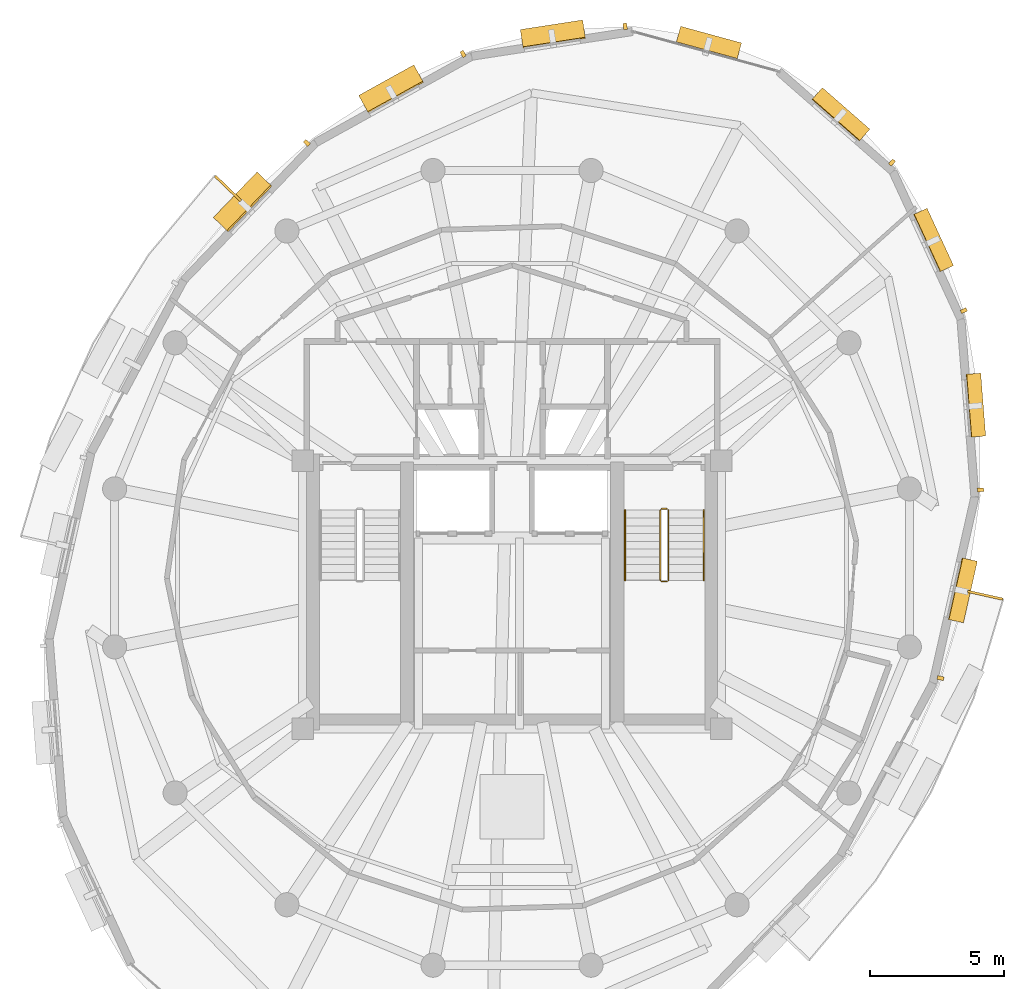
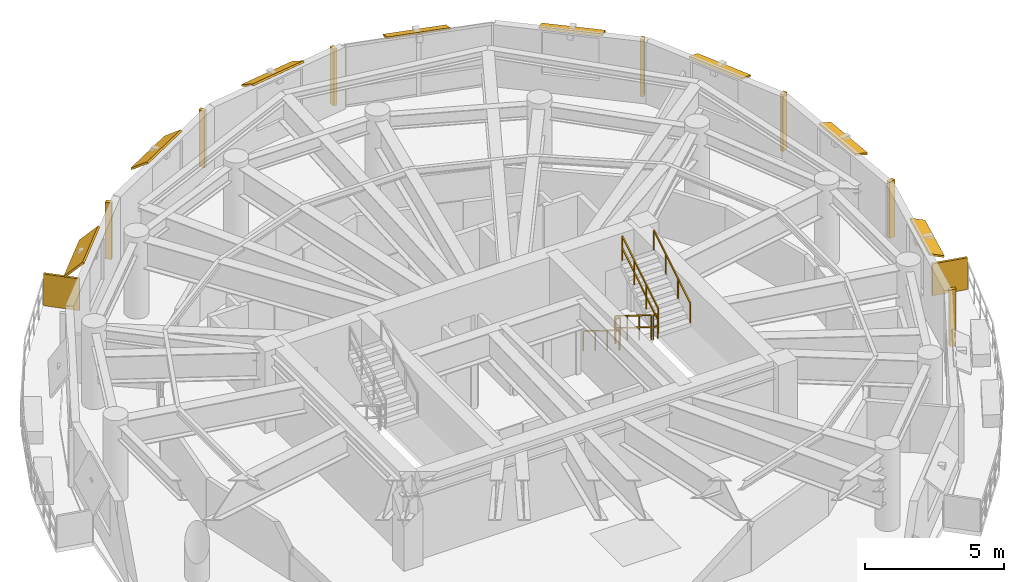
# One storey, part 11 of 11: 17 shading devices, 6 railings.
"""IFC4 building model written with IfcOpenShell, lengths in metres."""

from ifc_helpers import new_model, si_unit, direction, frame, origin, origin_2d, place, context, subcontext, project, spatial, rectangle, extrude, material, layer, layer_set, type_object, element, save


model = new_model("IFC4")

# Units and contexts
model_context = context("Model", 3, precision=1e-05, world=origin(), true_north=direction((0.0, 1.0)))
body_context = subcontext(model_context, "Body", "Model", "MODEL_VIEW")
ifc_project = project(units=[si_unit("LENGTHUNIT", "METRE"), si_unit("AREAUNIT", "SQUARE_METRE"), si_unit("VOLUMEUNIT", "CUBIC_METRE"), si_unit("PLANEANGLEUNIT", "RADIAN"), si_unit("MASSUNIT", "GRAM", prefix="KILO"), si_unit("THERMODYNAMICTEMPERATUREUNIT", "KELVIN"), si_unit("POWERUNIT", "WATT")], contexts=[model_context])

# Site, building, storey
site_placement = place(None, origin())
site = spatial("IfcSite", under=ifc_project, at=site_placement, CompositionType="ELEMENT")
building_placement = place(site_placement, origin())
building = spatial("IfcBuilding", under=site, at=building_placement, Name="Ocrelia Relay Tower", CompositionType="ELEMENT")
storey_placement = place(building_placement, frame((0.0, 0.0, 284.39990234375)))
storey = spatial("IfcBuildingStorey", under=building, at=storey_placement, Name="L71", CompositionType="ELEMENT", Elevation=284.39990234375)

# Railings
ifc_material_1 = material(Name="Steel S355 balustrade", Category="steel")
railing_type_1 = type_object("IfcRailingType", Name="RL-STAIR-GUARD", PredefinedType="GUARDRAIL", material=ifc_material_1)
railing_1_placement = place(storey_placement, frame((39.530029296875, 28.14990234375, 0.18017578125)))
element("IfcRailing", 1, at=railing_1_placement, inside=storey, type_object=railing_type_1, Name="L71 ST2 stair guard 1", PredefinedType="GUARDRAIL", context=body_context, shape_type="SweptSolid", body=[
    extrude(rectangle(XDim=0.048095703125, YDim=0.048095703125, at=origin_2d()), frame((0.0, 0.0, 1.076171875), z_axis=(0.0, -0.849646306263, 0.527352969322), x_axis=(1.0, 0.0, 0.0)), (0.0, 0.0, 1.0), 3.07177734375),
    extrude(rectangle(XDim=0.048095703125, YDim=0.048095703125, at=origin_2d()), frame((0.0, 0.0, 0.550048828125), z_axis=(0.0, -0.849646306263, 0.527352969322), x_axis=(1.0, 0.0, 0.0)), (0.0, 0.0, 1.0), 3.07177734375),
    extrude(rectangle(XDim=0.0419921875, YDim=0.0419921875, at=origin_2d()), origin(), (0.0, 0.0, 1.0), 1.052001953125),
    extrude(rectangle(XDim=0.0419921875, YDim=0.0419921875, at=origin_2d()), frame((0.0, -0.869873046875, 0.5400390625)), (0.0, 0.0, 1.0), 1.052001953125),
    extrude(rectangle(XDim=0.0419921875, YDim=0.0419921875, at=origin_2d()), frame((0.0, -1.739990234375, 1.079833984375)), (0.0, 0.0, 1.0), 1.052001953125),
    extrude(rectangle(XDim=0.0419921875, YDim=0.0419921875, at=origin_2d()), frame((0.0, -2.60986328125, 1.619873046875)), (0.0, 0.0, 1.0), 1.052001953125),
])
railing_2_placement = place(storey_placement, frame((39.580078125, 25.489990234375, 1.800048828125)))
element("IfcRailing", 2, at=railing_2_placement, inside=storey, type_object=railing_type_1, Name="L71 ST2 stair guard 2", PredefinedType="GUARDRAIL", context=body_context, shape_type="SweptSolid", body=[
    extrude(rectangle(XDim=0.048095703125, YDim=0.048095703125, at=origin_2d()), frame((0.0, 0.0, 1.076171875), z_axis=(1.0, 0.0, 0.0), x_axis=(0.0, 1.0, 0.0)), (0.0, 0.0, 1.0), 0.199951171875),
    extrude(rectangle(XDim=0.048095703125, YDim=0.048095703125, at=origin_2d()), frame((0.0, 0.0, 0.550048828125), z_axis=(1.0, 0.0, 0.0), x_axis=(0.0, 1.0, 0.0)), (0.0, 0.0, 1.0), 0.199951171875),
    extrude(rectangle(XDim=0.0419921875, YDim=0.0419921875, at=origin_2d()), origin(), (0.0, 0.0, 1.0), 1.052001953125),
    extrude(rectangle(XDim=0.0419921875, YDim=0.0419921875, at=origin_2d()), frame((0.199951171875, 0.0, 0.0)), (0.0, 0.0, 1.0), 1.052001953125),
])
railing_3_placement = place(storey_placement, frame((39.830078125, 25.5400390625, 1.97998046875)))
element("IfcRailing", 3, at=railing_3_placement, inside=storey, type_object=railing_type_1, Name="L71 ST2 stair guard 3", PredefinedType="GUARDRAIL", context=body_context, shape_type="SweptSolid", body=[
    extrude(rectangle(XDim=0.048095703125, YDim=0.048095703125, at=origin_2d()), frame((0.0, 0.0, 1.076171875), z_axis=(0.0, 0.849610693518, 0.52741034258), x_axis=(-1.0, 0.0, 0.0)), (0.0, 0.0, 1.0), 3.07177734375),
    extrude(rectangle(XDim=0.048095703125, YDim=0.048095703125, at=origin_2d()), frame((0.0, 0.0, 0.550048828125), z_axis=(0.0, 0.849610693518, 0.52741034258), x_axis=(-1.0, 0.0, 0.0)), (0.0, 0.0, 1.0), 3.07177734375),
    extrude(rectangle(XDim=0.0419921875, YDim=0.0419921875, at=origin_2d()), origin(), (0.0, 0.0, 1.0), 1.052001953125),
    extrude(rectangle(XDim=0.0419921875, YDim=0.0419921875, at=origin_2d()), frame((0.0, 0.869873046875, 0.5400390625)), (0.0, 0.0, 1.0), 1.052001953125),
    extrude(rectangle(XDim=0.0419921875, YDim=0.0419921875, at=origin_2d()), frame((0.0, 1.739990234375, 1.080078125)), (0.0, 0.0, 1.0), 1.052001953125),
    extrude(rectangle(XDim=0.0419921875, YDim=0.0419921875, at=origin_2d()), frame((0.0, 2.60986328125, 1.6201171875)), (0.0, 0.0, 1.0), 1.052001953125),
])
railing_4_placement = place(storey_placement, frame((39.580078125, 28.199951171875, 0.0)))
element("IfcRailing", 4, at=railing_4_placement, inside=storey, type_object=railing_type_1, Name="L71 ST2 stair guard 4", PredefinedType="GUARDRAIL", context=body_context, shape_type="SweptSolid", body=[
    extrude(rectangle(XDim=0.048095703125, YDim=0.048095703125, at=origin_2d()), frame((0.0, 0.0, 1.076171875), z_axis=(1.0, 0.0, 0.0), x_axis=(0.0, 1.0, 0.0)), (0.0, 0.0, 1.0), 0.199951171875),
    extrude(rectangle(XDim=0.048095703125, YDim=0.048095703125, at=origin_2d()), frame((0.0, 0.0, 0.550048828125), z_axis=(1.0, 0.0, 0.0), x_axis=(0.0, 1.0, 0.0)), (0.0, 0.0, 1.0), 0.199951171875),
    extrude(rectangle(XDim=0.0419921875, YDim=0.0419921875, at=origin_2d()), origin(), (0.0, 0.0, 1.0), 1.052001953125),
    extrude(rectangle(XDim=0.0419921875, YDim=0.0419921875, at=origin_2d()), frame((0.199951171875, 0.0, 0.0)), (0.0, 0.0, 1.0), 1.052001953125),
])
ifc_material_2 = material(Name="Steel S355 tubular handrail", Category="steel")
railing_type_2 = type_object("IfcRailingType", Name="RL-STAIR-HAND", PredefinedType="HANDRAIL", material=ifc_material_2)
railing_5_placement = place(storey_placement, frame((38.2099609375, 28.14990234375, 0.18017578125)))
element("IfcRailing", 5, at=railing_5_placement, inside=storey, type_object=railing_type_2, Name="L71 ST2 stair handrail 1", PredefinedType="HANDRAIL", context=body_context, shape_type="SweptSolid", body=[
    extrude(rectangle(XDim=0.048095703125, YDim=0.048095703125, at=origin_2d()), frame((0.0, 0.0, 0.8759765625), z_axis=(0.0, -0.849646306263, 0.527352969322), x_axis=(1.0, 0.0, 0.0)), (0.0, 0.0, 1.0), 3.07177734375),
    extrude(rectangle(XDim=0.0419921875, YDim=0.0419921875, at=origin_2d()), origin(), (0.0, 0.0, 1.0), 0.851806640625),
    extrude(rectangle(XDim=0.0419921875, YDim=0.0419921875, at=origin_2d()), frame((0.0, -0.869873046875, 0.5400390625)), (0.0, 0.0, 1.0), 0.851806640625),
    extrude(rectangle(XDim=0.0419921875, YDim=0.0419921875, at=origin_2d()), frame((0.0, -1.739990234375, 1.079833984375)), (0.0, 0.0, 1.0), 0.851806640625),
    extrude(rectangle(XDim=0.0419921875, YDim=0.0419921875, at=origin_2d()), frame((0.0, -2.60986328125, 1.619873046875)), (0.0, 0.0, 1.0), 0.851806640625),
])
railing_6_placement = place(storey_placement, frame((41.14990234375, 25.5400390625, 1.97998046875)))
element("IfcRailing", 6, at=railing_6_placement, inside=storey, type_object=railing_type_2, Name="L71 ST2 stair handrail 2", PredefinedType="HANDRAIL", context=body_context, shape_type="SweptSolid", body=[
    extrude(rectangle(XDim=0.048095703125, YDim=0.048095703125, at=origin_2d()), frame((0.0, 0.0, 0.8759765625), z_axis=(0.0, 0.849610693518, 0.52741034258), x_axis=(-1.0, 0.0, 0.0)), (0.0, 0.0, 1.0), 3.07177734375),
    extrude(rectangle(XDim=0.0419921875, YDim=0.0419921875, at=origin_2d()), origin(), (0.0, 0.0, 1.0), 0.851806640625),
    extrude(rectangle(XDim=0.0419921875, YDim=0.0419921875, at=origin_2d()), frame((0.0, 0.869873046875, 0.5400390625)), (0.0, 0.0, 1.0), 0.851806640625),
    extrude(rectangle(XDim=0.0419921875, YDim=0.0419921875, at=origin_2d()), frame((0.0, 1.739990234375, 1.080078125)), (0.0, 0.0, 1.0), 0.851806640625),
    extrude(rectangle(XDim=0.0419921875, YDim=0.0419921875, at=origin_2d()), frame((0.0, 2.60986328125, 1.6201171875)), (0.0, 0.0, 1.0), 0.851806640625),
])

# Shading devices
ifc_material_3 = material(Name="Perforated oxide terracotta solar screen", Category="masonry")
ifc_layer_1 = layer(ifc_material_3, 0.090087890625, Name="Perforated oxide terracotta solar screen")
ifc_layer_set_1 = layer_set([ifc_layer_1], Name="Perforated oxide terracotta solar screen")
shading_device_type_1 = type_object("IfcShadingDeviceType", Name="SH-BALC-SCREEN", PredefinedType="USERDEFINED", material=ifc_layer_set_1)
for number, where, z_axis, x_axis, name in (
    (7, (23.416015625, 40.141357421875, 0.000244140625), (0.0, 0.0, 1.0), (-0.72015286212, 0.69381543308, 0.0), "L71 Balcony Perforated Terracotta Screen B1-1"),
    (8, (51.634033203125, 24.979248046875, 0.000244140625), (0.0, 0.0, 1.0), (0.976038230172, -0.217599111309, 0.0), "L71 Balcony Perforated Terracotta Screen B2-2"),
):
    element("IfcShadingDevice", number, at=place(storey_placement, frame(where, z_axis=z_axis, x_axis=x_axis)), inside=storey, type_object=shading_device_type_1, Name=name, ObjectType="SCREEN", PredefinedType="USERDEFINED", context=body_context, shape_type="SweptSolid", body=[
        extrude(rectangle(XDim=1.340087890625, YDim=0.090087890625, at=origin_2d()), origin(), (0.0, 0.0, 1.0), 1.39990234375),
    ])
ifc_material_4 = material(Name="Extruded oxide terracotta vertical baguette", Category="masonry")
shading_device_type_2 = type_object("IfcShadingDeviceType", Name="SH-TERR-BAGUETTE", PredefinedType="USERDEFINED", material=ifc_material_4)
for number, where, z_axis, x_axis, name in (
    (9, (38.217529296875, 46.180419921875, 0.114990234375), (0.0, 0.0, 1.0), (-0.988410951389, -0.151801815449, 0.0), "L71 Oxide Terracotta Vertical Baguette 02"),
    (10, (32.176513671875, 45.154052734375, 0.114990234375), (0.0, 0.0, 1.0), (-0.874648895367, -0.484756959551, 0.0), "L71 Oxide Terracotta Vertical Baguette 03"),
    (11, (26.35546875, 41.835205078125, 0.114990234375), (0.0, 0.0, 1.0), (-0.692662002718, -0.721262330911, 0.0), "L71 Oxide Terracotta Vertical Baguette 04"),
    (12, (49.969970703125, 21.891357421875, 0.114990234375), (0.0, 0.0, 1.0), (0.219135278273, 0.9756944859, 0.0), "L71 Oxide Terracotta Vertical Baguette 15"),
    (13, (51.46240234375, 28.9072265625, 0.114990234375), (0.0, 0.0, 1.0), (-0.078517453082, 0.996912739191, 0.0), "L71 Oxide Terracotta Vertical Baguette 16"),
    (14, (50.8388671875, 35.5869140625, 0.114990234375), (0.0, 0.0, 1.0), (-0.418943101499, 0.908012487638, 0.0), "L71 Oxide Terracotta Vertical Baguette 17"),
    (15, (48.161865234375, 41.10791015625, 0.114990234375), (0.0, 0.0, 1.0), (-0.752392477075, 0.658715082901, 0.0), "L71 Oxide Terracotta Vertical Baguette 18"),
):
    element("IfcShadingDevice", number, at=place(storey_placement, frame(where, z_axis=z_axis, x_axis=x_axis)), inside=storey, type_object=shading_device_type_2, Name=name, ObjectType="BAGUETTE", PredefinedType="USERDEFINED", context=body_context, shape_type="SweptSolid", body=[
        extrude(rectangle(XDim=0.139892578125, YDim=0.239990234375, at=origin_2d()), origin(), (0.0, 0.0, 1.0), 2.5),
    ])
ifc_material_5 = material(Name="Extruded oxide terracotta fin", Category="masonry")
ifc_layer_2 = layer(ifc_material_5, 0.080078125, Name="Extruded oxide terracotta fin")
ifc_layer_set_2 = layer_set([ifc_layer_2], Name="Extruded oxide terracotta fin")
shading_device_type_3 = type_object("IfcShadingDeviceType", Name="SH-VISOR-FIN-MED", PredefinedType="USERDEFINED", material=ifc_layer_set_2)
shading_device_1_placement = place(storey_placement, frame((29.50537109375, 43.83056640625, 2.538330078125), z_axis=(-0.295034212432, 0.532331393937, 0.79345957712), x_axis=(-0.874648895367, -0.484756959551, 0.0)))
element("IfcShadingDevice", 16, at=shading_device_1_placement, inside=storey, type_object=shading_device_type_3, Name="L71 Canted Terracotta Sun-Visor Fin 03", ObjectType="FIN", PredefinedType="USERDEFINED", context=body_context, shape_type="SweptSolid", body=[
    extrude(rectangle(XDim=2.35009765625, YDim=0.875, at=origin_2d()), origin(), (0.0, 0.0, 1.0), 0.080078125),
])
shading_device_2_placement = place(storey_placement, frame((23.978759765625, 39.62353515625, 2.542724609375), z_axis=(-0.525174004318, 0.504349197256, 0.685437198009), x_axis=(-0.692662002718, -0.721262330911, 0.0)))
element("IfcShadingDevice", 17, at=shading_device_2_placement, inside=storey, type_object=shading_device_type_3, Name="L71 Canted Terracotta Sun-Visor Fin 04", ObjectType="FIN", PredefinedType="USERDEFINED", context=body_context, shape_type="SweptSolid", body=[
    extrude(rectangle(XDim=2.35009765625, YDim=1.029052734375, at=origin_2d()), origin(), (0.0, 0.0, 1.0), 0.080078125),
])
ifc_layer_3 = layer(ifc_material_5, 0.080078125, Name="Extruded oxide terracotta fin")
ifc_layer_set_3 = layer_set([ifc_layer_3], Name="Extruded oxide terracotta fin")
shading_device_type_4 = type_object("IfcShadingDeviceType", Name="SH-VISOR-FIN-SHAL", PredefinedType="USERDEFINED", material=ifc_layer_set_3)
shading_device_3_placement = place(storey_placement, frame((41.331787109375, 45.5517578125, 2.53369140625), z_axis=(0.110955372704, 0.405660345326, 0.907264343782), x_axis=(-0.96456996895, 0.263827168806, 0.0)))
element("IfcShadingDevice", 18, at=shading_device_3_placement, inside=storey, type_object=shading_device_type_4, Name="L71 Canted Terracotta Sun-Visor Fin 01", ObjectType="FIN", PredefinedType="USERDEFINED", context=body_context, shape_type="SweptSolid", body=[
    extrude(rectangle(XDim=2.35009765625, YDim=0.6640625, at=origin_2d()), origin(), (0.0, 0.0, 1.0), 0.080078125),
])
shading_device_4_placement = place(storey_placement, frame((35.525390625, 45.87939453125, 2.535400390625), z_axis=(-0.076428026001, 0.497637644641, 0.864011302865), x_axis=(-0.988410951389, -0.151801815449, 0.0)))
element("IfcShadingDevice", 19, at=shading_device_4_placement, inside=storey, type_object=shading_device_type_4, Name="L71 Canted Terracotta Sun-Visor Fin 02", ObjectType="FIN", PredefinedType="USERDEFINED", context=body_context, shape_type="SweptSolid", body=[
    extrude(rectangle(XDim=2.35009765625, YDim=0.75390625, at=origin_2d()), origin(), (0.0, 0.0, 1.0), 0.080078125),
])
shading_device_5_placement = place(storey_placement, frame((50.78515625, 25.165771484375, 2.53271484375), z_axis=(0.346157499576, -0.077744950999, 0.934949575154), x_axis=(0.219135278273, 0.9756944859, 0.0)))
element("IfcShadingDevice", 20, at=shading_device_5_placement, inside=storey, type_object=shading_device_type_4, Name="L71 Canted Terracotta Sun-Visor Fin 15", ObjectType="FIN", PredefinedType="USERDEFINED", context=body_context, shape_type="SweptSolid", body=[
    extrude(rectangle(XDim=2.35009765625, YDim=0.595947265625, at=origin_2d()), origin(), (0.0, 0.0, 1.0), 0.080078125),
])
shading_device_6_placement = place(storey_placement, frame((51.275634765625, 32.064208984375, 2.531982421875), z_axis=(0.310048039841, 0.024419572009, 0.950407227189), x_axis=(-0.078517453082, 0.996912739191, 0.0)))
element("IfcShadingDevice", 21, at=shading_device_6_placement, inside=storey, type_object=shading_device_type_4, Name="L71 Canted Terracotta Sun-Visor Fin 16", ObjectType="FIN", PredefinedType="USERDEFINED", context=body_context, shape_type="SweptSolid", body=[
    extrude(rectangle(XDim=2.35009765625, YDim=0.552001953125, at=origin_2d()), origin(), (0.0, 0.0, 1.0), 0.080078125),
])
shading_device_7_placement = place(storey_placement, frame((49.69921875, 38.213623046875, 2.5322265625), z_axis=(0.289619035891, 0.133625802289, 0.94776841001), x_axis=(-0.418943101499, 0.908012487638, 0.0)))
element("IfcShadingDevice", 22, at=shading_device_7_placement, inside=storey, type_object=shading_device_type_4, Name="L71 Canted Terracotta Sun-Visor Fin 17", ObjectType="FIN", PredefinedType="USERDEFINED", context=body_context, shape_type="SweptSolid", body=[
    extrude(rectangle(XDim=2.35009765625, YDim=0.56005859375, at=origin_2d()), origin(), (0.0, 0.0, 1.0), 0.080078125),
])
shading_device_8_placement = place(storey_placement, frame((46.248291015625, 42.892578125, 2.53271484375), z_axis=(0.236277021968, 0.269878523278, 0.93345527561), x_axis=(-0.752392477075, 0.658715082901, 0.0)))
element("IfcShadingDevice", 23, at=shading_device_8_placement, inside=storey, type_object=shading_device_type_4, Name="L71 Canted Terracotta Sun-Visor Fin 18", ObjectType="FIN", PredefinedType="USERDEFINED", context=body_context, shape_type="SweptSolid", body=[
    extrude(rectangle(XDim=2.35009765625, YDim=0.60009765625, at=origin_2d()), origin(), (0.0, 0.0, 1.0), 0.080078125),
])

save(model, "model.ifc")
